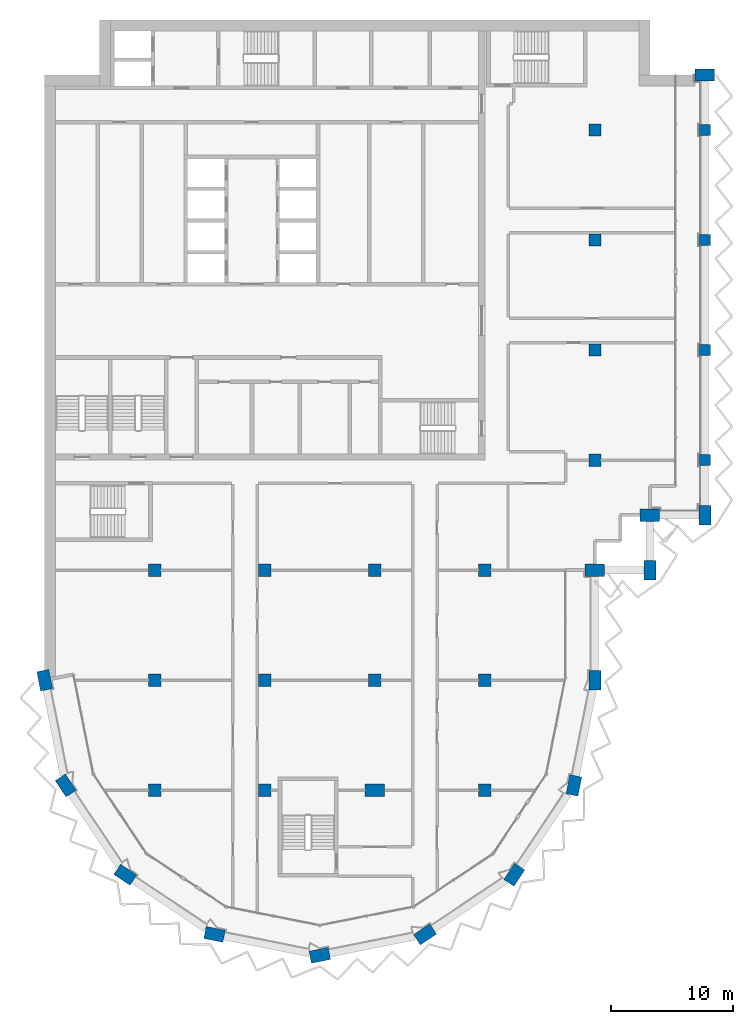
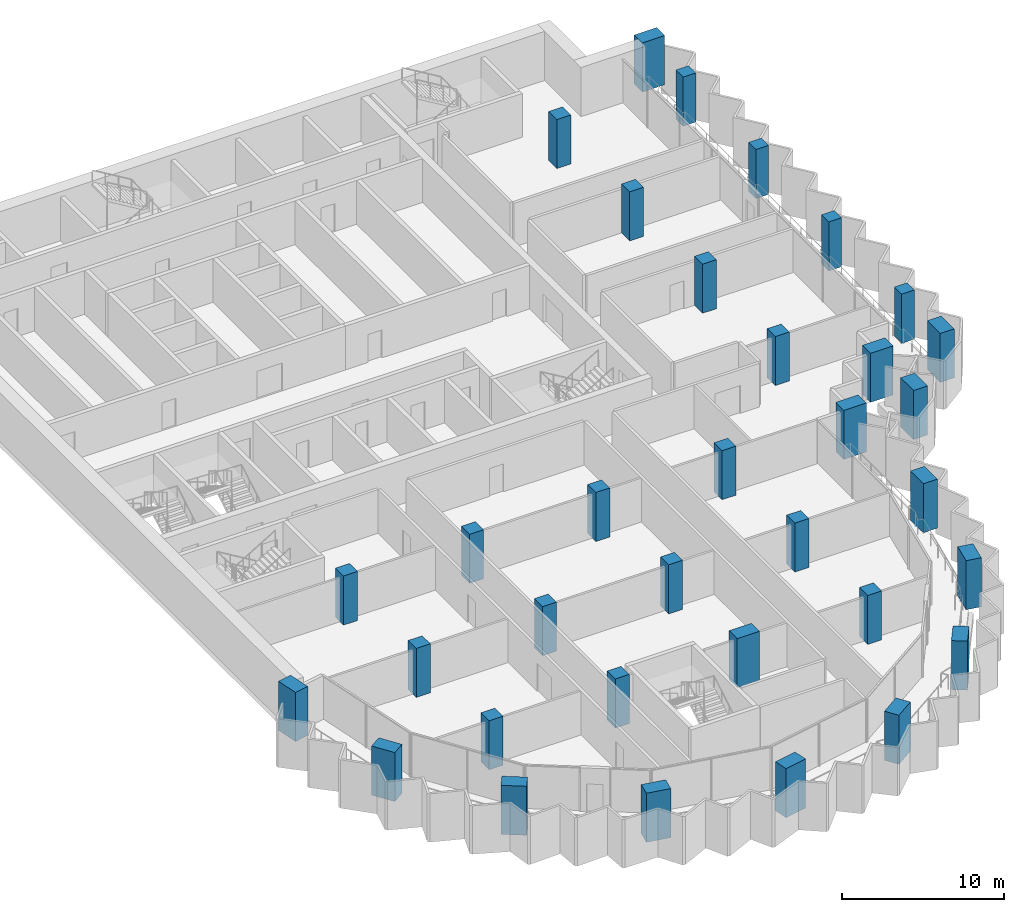
# One storey, part 1 of 16: 34 columns.
"""IFC4 building model written with IfcOpenShell, lengths in metres."""

import ifcopenshell
import ifcopenshell.guid

model = None  # the IFC model being written
_history = None  # IfcOwnerHistory: only IFC2X3 demands one
_inside = {}  # id of a spatial element -> (the spatial element, [elements in it])
_under = {}  # id of a project, library or spatial element -> (it, [spatial elements below it])
_declared = {}  # id of a project -> (the project, [libraries it declares])
_typed = {}  # id of a type object -> (the type object, [elements of that type])
_made_of = {}  # id of a material, layer set ... -> (it, [elements and type objects made of it])


def new_model(schema):
    """Start an empty IFC model of exactly this schema.

    Asked for "IFC4X3", IfcOpenShell would pick the latest addendum, in which some entities
    have other attributes; the version numbers below select the first issue.
    IFC2X3 requires an IfcOwnerHistory on every rooted entity: one is made here for all.
    """
    global model, _history
    if schema == "IFC4X3":
        model = ifcopenshell.file(schema_version=(4, 3, 0, 0))
    else:
        model = ifcopenshell.file(schema=schema)
    _inside.clear()
    _under.clear()
    _declared.clear()
    _typed.clear()
    _made_of.clear()
    _history = None
    if model.schema == "IFC2X3":
        org = make("IfcOrganization", Name="unknown")
        user = make(
            "IfcPersonAndOrganization",
            ThePerson=make("IfcPerson", FamilyName="unknown"),
            TheOrganization=org,
        )
        app = make(
            "IfcApplication",
            ApplicationDeveloper=org,
            Version="unknown",
            ApplicationFullName="unknown",
            ApplicationIdentifier="unknown",
        )
        _history = make(
            "IfcOwnerHistory",
            OwningUser=user,
            OwningApplication=app,
            ChangeAction="ADDED",
            CreationDate=0,
        )
    return model


def make(cls, **values):
    """One entity of the class cls with the attributes given. An attribute that is None is left unset."""
    return model.create_entity(
        cls, **{name: value for name, value in values.items() if value is not None}
    )


def rooted(cls, **values):
    """An entity with a GlobalId (a new one), such as an element, a storey or a relation."""
    return make(cls, GlobalId=ifcopenshell.guid.new(), OwnerHistory=_history, **values)


def si_unit(unit_type, name, prefix=None):
    """IfcSIUnit, for example si_unit("LENGTHUNIT", "METRE", prefix="MILLI")."""
    return make("IfcSIUnit", UnitType=unit_type, Prefix=prefix, Name=name)


def assignment(units):
    """IfcUnitAssignment: the units of a project."""
    return None if units is None else make("IfcUnitAssignment", Units=units)


def point(xyz):
    """IfcCartesianPoint."""
    return None if xyz is None else make("IfcCartesianPoint", Coordinates=xyz)


def direction(xyz):
    """IfcDirection."""
    return None if xyz is None else make("IfcDirection", DirectionRatios=xyz)


def frame(location, z_axis=None, x_axis=None):
    """IfcAxis2Placement3D, a coordinate frame: its origin and axes. An axis left out is left unset."""
    return make(
        "IfcAxis2Placement3D",
        Location=point(location),
        Axis=direction(z_axis),
        RefDirection=direction(x_axis),
    )


def frame_2d(location, x_axis=None):
    """IfcAxis2Placement2D, a coordinate frame in the plane: its origin and x axis."""
    return make(
        "IfcAxis2Placement2D", Location=point(location), RefDirection=direction(x_axis)
    )


def origin():
    """The frame at (0, 0, 0) with its axes left unset."""
    return frame((0.0, 0.0, 0.0))


def origin_2d():
    """The frame at (0, 0) in the plane with its x axis left unset."""
    return frame_2d((0.0, 0.0))


def place(relative_to, where):
    """IfcLocalPlacement: puts the frame where relative to a parent placement (None: the world)."""
    return make(
        "IfcLocalPlacement", PlacementRelTo=relative_to, RelativePlacement=where
    )


def context(
    kind, dimensions, precision=None, world=None, true_north=None, identifier=None
):
    """IfcGeometricRepresentationContext, for example the 3D "Model" context."""
    return make(
        "IfcGeometricRepresentationContext",
        ContextIdentifier=identifier,
        ContextType=kind,
        CoordinateSpaceDimension=dimensions,
        Precision=precision,
        WorldCoordinateSystem=world,
        TrueNorth=true_north,
    )


def subcontext(parent, identifier, kind, view, scale=None):
    """IfcGeometricRepresentationSubContext, for example "Body" below "Model"."""
    return make(
        "IfcGeometricRepresentationSubContext",
        ContextIdentifier=identifier,
        ContextType=kind,
        ParentContext=parent,
        TargetScale=scale,
        TargetView=view,
    )


def project(units=None, contexts=None):
    """IfcProject with its units and contexts."""
    return rooted(
        "IfcProject",
        Name="project",
        RepresentationContexts=contexts,
        UnitsInContext=assignment(units),
    )


def spatial(cls, under=None, at=None, **own):
    """A site, building, storey or space (cls), placed at a placement, below another one or the project."""
    s = rooted(cls, ObjectPlacement=at, **own)
    if under is not None:
        _under.setdefault(under.id(), (under, []))[1].append(s)
    return s


def profile(cls, at=None, kind="AREA", **sizes):
    """A parametric profile (cls). Its sizes go by their IFC names, for example OverallWidth=200.0."""
    return make(cls, ProfileType=kind, Position=at, **sizes)


def rectangle(**sizes):
    """IfcRectangleProfileDef."""
    return profile("IfcRectangleProfileDef", **sizes)


def extrude(swept, where, along, depth):
    """IfcExtrudedAreaSolid: the profile swept, set in the frame where, extruded along a direction by depth."""
    return make(
        "IfcExtrudedAreaSolid",
        SweptArea=swept,
        Position=where,
        ExtrudedDirection=direction(along),
        Depth=depth,
    )


def shape(context_of_items, identifier, shape_type, items):
    """IfcShapeRepresentation: the items that make up one representation, for example the "Body"."""
    return make(
        "IfcShapeRepresentation",
        ContextOfItems=context_of_items,
        RepresentationIdentifier=identifier,
        RepresentationType=shape_type,
        Items=items,
    )


def material(Name=None, Category=None):
    """IfcMaterial."""
    return make("IfcMaterial", Name=Name, Category=Category)


def material_profile(
    of_material, cross_section, Name=None, Category=None, Priority=None
):
    """IfcMaterialProfile: a cross section and its material."""
    return make(
        "IfcMaterialProfile",
        Name=Name,
        Material=of_material,
        Profile=cross_section,
        Priority=Priority,
        Category=Category,
    )


def profile_set(profiles, Name=None, composite=None):
    """IfcMaterialProfileSet."""
    return make(
        "IfcMaterialProfileSet",
        Name=Name,
        MaterialProfiles=profiles,
        CompositeProfile=composite,
    )


def made_of(thing, what):
    """Note that an element or type object is made of a material, layer set ...; save() writes the relation."""
    if what is not None:
        _made_of.setdefault(what.id(), (what, []))[1].append(thing)
    return thing


def type_object(cls, material=None, **own):
    """A type object (cls), such as IfcWallType, which elements share."""
    return made_of(rooted(cls, **own), material)


def element(
    cls,
    number,
    at=None,
    inside=None,
    cuts=None,
    type_object=None,
    material=None,
    context=None,
    identifier="Body",
    shape_type=None,
    held_by="IfcProductDefinitionShape",
    body=None,
    shapes=None,
    **own,
):
    """One element of the class cls, such as IfcWall. Its Tag is "e" and its number.

    at: its placement. inside: the storey or other place that contains it. cuts: it is an
    opening in that element (IfcRelVoidsElement). A single representation is given by context,
    identifier, shape_type and body (its items); several are given by shapes. held_by: the class
    of the entity that holds the representations. save() writes the other relations.
    """
    e = rooted(cls, Tag="e%d" % number, ObjectPlacement=at, **own)
    if body is not None:
        shapes = [shape(context, identifier, shape_type, body)]
    if shapes is not None:
        e.Representation = make(held_by, Representations=shapes)
    if inside is not None:
        _inside.setdefault(inside.id(), (inside, []))[1].append(e)
    if cuts is not None:
        rooted(
            "IfcRelVoidsElement", RelatingBuildingElement=cuts, RelatedOpeningElement=e
        )
    if type_object is not None:
        _typed.setdefault(type_object.id(), (type_object, []))[1].append(e)
    return made_of(e, material)


def aggregate(whole, parts):
    """IfcRelAggregates: a whole, such as a stair, and the parts it consists of."""
    return rooted("IfcRelAggregates", RelatingObject=whole, RelatedObjects=parts)


def save(model, path):
    """Write the relations noted so far, then the file.

    IfcRelAggregates (storeys below a building ...), IfcRelContainedInSpatialStructure (elements
    in a storey), IfcRelDefinesByType, IfcRelAssociatesMaterial and IfcRelDeclares: one each for
    every whole, place, type object, material and project.
    """
    for whole, parts in _under.values():
        aggregate(whole, parts)
    for where, things in _inside.values():
        rooted(
            "IfcRelContainedInSpatialStructure",
            RelatedElements=things,
            RelatingStructure=where,
        )
    for kind, things in _typed.values():
        rooted("IfcRelDefinesByType", RelatedObjects=things, RelatingType=kind)
    for what, things in _made_of.values():
        rooted("IfcRelAssociatesMaterial", RelatedObjects=things, RelatingMaterial=what)
    for by, libraries in _declared.values():
        rooted("IfcRelDeclares", RelatingContext=by, RelatedDefinitions=libraries)
    model.write(path)


model = new_model("IFC4")

# Units and contexts
model_context = context("Model", 3, precision=1e-05, world=origin(), true_north=direction((0.0, 1.0)))
body_context = subcontext(model_context, "Body", "Model", "MODEL_VIEW")
ifc_project = project(units=[si_unit("LENGTHUNIT", "METRE"), si_unit("AREAUNIT", "SQUARE_METRE"), si_unit("VOLUMEUNIT", "CUBIC_METRE"), si_unit("PLANEANGLEUNIT", "RADIAN"), si_unit("MASSUNIT", "GRAM", prefix="KILO")], contexts=[model_context])

# Site, building, storey
site_placement = place(None, origin())
site = spatial("IfcSite", under=ifc_project, at=site_placement, CompositionType="ELEMENT")
building_placement = place(site_placement, origin())
building = spatial("IfcBuilding", under=site, at=building_placement, Name="Hunhe Ridgeline Campus", CompositionType="ELEMENT")
storey_placement = place(building_placement, frame((0.0, 0.0, 242.89990234375)))
storey = spatial("IfcBuildingStorey", under=building, at=storey_placement, Name="L62", CompositionType="ELEMENT", Elevation=242.89990234375)

# Columns
ifc_material = material(Name="Concrete C60", Category="concrete")
ifc_material_profile_1 = material_profile(ifc_material, rectangle(XDim=1.60009765625, YDim=1.0, at=origin_2d()))
ifc_profile_set_1 = profile_set([ifc_material_profile_1], Name="Concrete C60")
column_type_1 = type_object("IfcColumnType", Name="Megacolumn 1600x1000 Concrete C60", PredefinedType="COLUMN", material=ifc_profile_set_1)
for number, where, z_axis, x_axis, name in (
    (1, (22.5, 22.5, 0.0), (0.0, 0.0, 1.0), (0.980785280403, 0.195090322016, 0.0), "Column C14 R13 L62"),
    (2, (13.8896484375, 24.212646484375, 0.0), (0.0, 0.0, 1.0), (-0.980785280403, 0.195090322016, 0.0), "Column C14 R14 L62"),
    (3, (31.1103515625, 24.212646484375, 0.0), (0.0, 0.0, 1.0), (0.831469612303, 0.55557023302, 0.0), "Column C14 R15 L62"),
    (4, (6.590087890625, 29.090087890625, 0.0), (0.0, 0.0, 1.0), (-0.831469612303, 0.55557023302, 0.0), "Column C14 R18 L62"),
    (5, (38.409912109375, 29.090087890625, 0.0), (0.0, 0.0, 1.0), (0.55557023302, 0.831469612303, 0.0), "Column C14 R19 L62"),
    (6, (1.712646484375, 36.3896484375, 0.0), (0.0, 0.0, 1.0), (-0.55557023302, 0.831469612303, 0.0), "Column C14 R23 L62"),
    (7, (43.287353515625, 36.3896484375, 0.0), (0.0, 0.0, 1.0), (0.195090322016, 0.980785280403, 0.0), "Column C14 R24 L62"),
    (8, (0.0, 45.0, 0.0), (0.0, 0.0, 1.0), (-0.195090322016, 0.980785280403, 0.0), "Column C14 F1 L62"),
    (9, (45.0, 45.0, 0.0), (0.0, 0.0, 1.0), (0.0, 1.0, 0.0), "Column C14 F6 L62"),
    (10, (45.0, 54.0, 0.0), (0.0, 0.0, 1.0), (1.0, 0.0, 0.0), "Column C14 G6 L62"),
    (11, (49.5, 54.0, 0.0), (0.0, 0.0, 1.0), (0.0, 1.0, 0.0), "Column C14 R29 L62"),
    (12, (49.5, 58.5, 0.0), (0.0, 0.0, 1.0), (1.0, 0.0, 0.0), "Column C14 R33 L62"),
    (13, (54.0, 58.5, 0.0), (0.0, 0.0, 1.0), (0.0, 1.0, 0.0), "Column C14 R34 L62"),
    (14, (54.0, 94.5, 0.0), (0.0, 0.0, 1.0), (1.0, 0.0, 0.0), "Column C14 R41 L62"),
    (15, (27.0, 36.0, 0.0), (0.0, 0.0, 1.0), (1.0, 0.0, 0.0), "Column C14 E4 L62"),
):
    element("IfcColumn", number, at=place(storey_placement, frame(where, z_axis=z_axis, x_axis=x_axis)), inside=storey, type_object=column_type_1, Name=name, PredefinedType="COLUMN", context=body_context, shape_type="SweptSolid", body=[
        extrude(rectangle(XDim=1.60009765625, YDim=1.0, at=origin_2d()), origin(), (0.0, 0.0, 1.0), 3.7001953125),
    ])
ifc_material_profile_2 = material_profile(ifc_material, rectangle(XDim=1.0, YDim=1.0, at=origin_2d()))
ifc_profile_set_2 = profile_set([ifc_material_profile_2], Name="Concrete C60")
column_type_2 = type_object("IfcColumnType", Name="RC column 1000x1000 Concrete C60", PredefinedType="COLUMN", material=ifc_profile_set_2)
for number, where, z_axis, x_axis, name in (
    (16, (9.0, 36.0, 0.0), (0.0, 0.0, 1.0), (1.0, 0.0, 0.0), "Column C12 E2 L62"),
    (17, (9.0, 45.0, 0.0), (0.0, 0.0, 1.0), (1.0, 0.0, 0.0), "Column C12 F2 L62"),
    (18, (9.0, 54.0, 0.0), (0.0, 0.0, 1.0), (1.0, 0.0, 0.0), "Column C12 G2 L62"),
    (19, (18.0, 36.0, 0.0), (0.0, 0.0, 1.0), (1.0, 0.0, 0.0), "Column C12 E3 L62"),
    (20, (18.0, 45.0, 0.0), (0.0, 0.0, 1.0), (1.0, 0.0, 0.0), "Column C12 F3 L62"),
    (21, (18.0, 54.0, 0.0), (0.0, 0.0, 1.0), (1.0, 0.0, 0.0), "Column C12 G3 L62"),
    (22, (27.0, 45.0, 0.0), (0.0, 0.0, 1.0), (1.0, 0.0, 0.0), "Column C12 F4 L62"),
    (23, (27.0, 54.0, 0.0), (0.0, 0.0, 1.0), (1.0, 0.0, 0.0), "Column C12 G4 L62"),
    (24, (36.0, 36.0, 0.0), (0.0, 0.0, 1.0), (1.0, 0.0, 0.0), "Column C12 E5 L62"),
    (25, (36.0, 45.0, 0.0), (0.0, 0.0, 1.0), (1.0, 0.0, 0.0), "Column C12 F5 L62"),
    (26, (36.0, 54.0, 0.0), (0.0, 0.0, 1.0), (1.0, 0.0, 0.0), "Column C12 G5 L62"),
    (27, (45.0, 63.0, 0.0), (0.0, 0.0, 1.0), (1.0, 0.0, 0.0), "Column C12 H6 L62"),
    (28, (45.0, 72.0, 0.0), (0.0, 0.0, 1.0), (1.0, 0.0, 0.0), "Column C12 I6 L62"),
    (29, (45.0, 81.0, 0.0), (0.0, 0.0, 1.0), (1.0, 0.0, 0.0), "Column C12 J6 L62"),
    (30, (45.0, 90.0, 0.0), (0.0, 0.0, 1.0), (1.0, 0.0, 0.0), "Column C12 K6 L62"),
):
    element("IfcColumn", number, at=place(storey_placement, frame(where, z_axis=z_axis, x_axis=x_axis)), inside=storey, type_object=column_type_2, Name=name, PredefinedType="COLUMN", context=body_context, shape_type="SweptSolid", body=[
        extrude(rectangle(XDim=1.0, YDim=1.0, at=origin_2d()), origin(), (0.0, 0.0, 1.0), 3.7001953125),
    ])
ifc_material_profile_3 = material_profile(ifc_material, rectangle(XDim=0.89990234375, YDim=0.89990234375, at=origin_2d()))
ifc_profile_set_3 = profile_set([ifc_material_profile_3], Name="Concrete C60")
column_type_3 = type_object("IfcColumnType", Name="RC column 900x900 Concrete C60", PredefinedType="COLUMN", material=ifc_profile_set_3)
for number, where, z_axis, x_axis, name in (
    (31, (54.0, 63.0, 0.0), (0.0, 0.0, 1.0), (1.0, 0.0, 0.0), "Column C15 H7 L62"),
    (32, (54.0, 72.0, 0.0), (0.0, 0.0, 1.0), (1.0, 0.0, 0.0), "Column C15 I7 L62"),
    (33, (54.0, 81.0, 0.0), (0.0, 0.0, 1.0), (1.0, 0.0, 0.0), "Column C15 J7 L62"),
    (34, (54.0, 90.0, 0.0), (0.0, 0.0, 1.0), (1.0, 0.0, 0.0), "Column C15 K7 L62"),
):
    element("IfcColumn", number, at=place(storey_placement, frame(where, z_axis=z_axis, x_axis=x_axis)), inside=storey, type_object=column_type_3, Name=name, PredefinedType="COLUMN", context=body_context, shape_type="SweptSolid", body=[
        extrude(rectangle(XDim=0.89990234375, YDim=0.89990234375, at=origin_2d()), origin(), (0.0, 0.0, 1.0), 3.7001953125),
    ])

save(model, "model.ifc")
